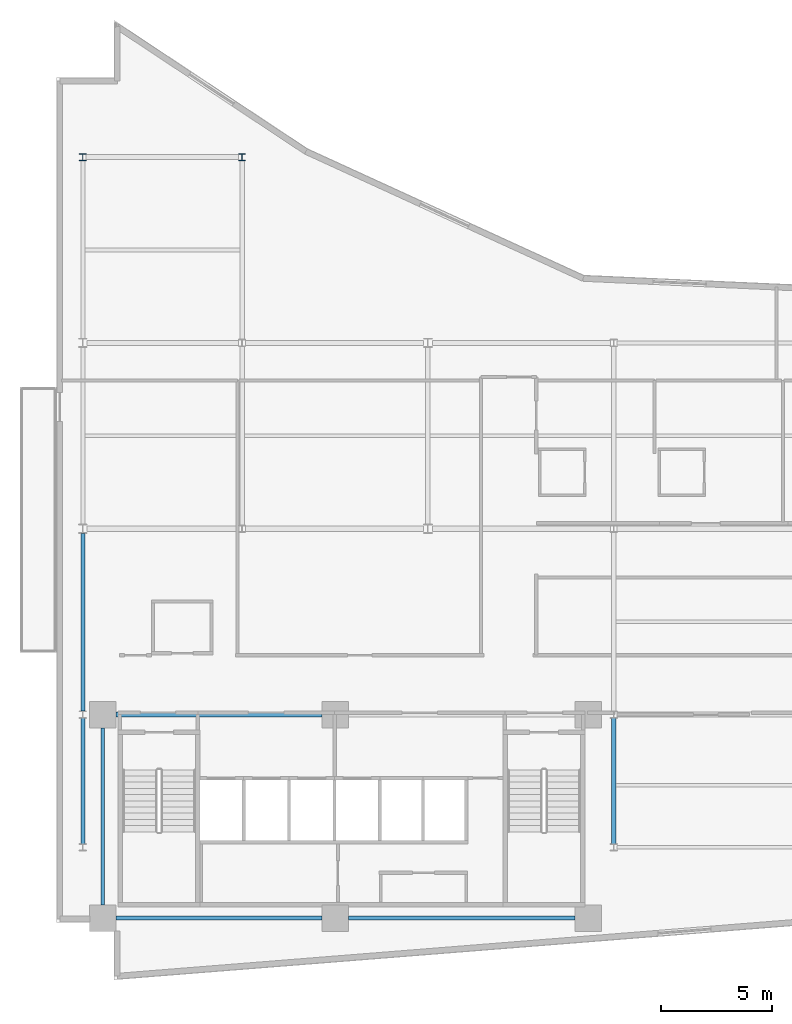
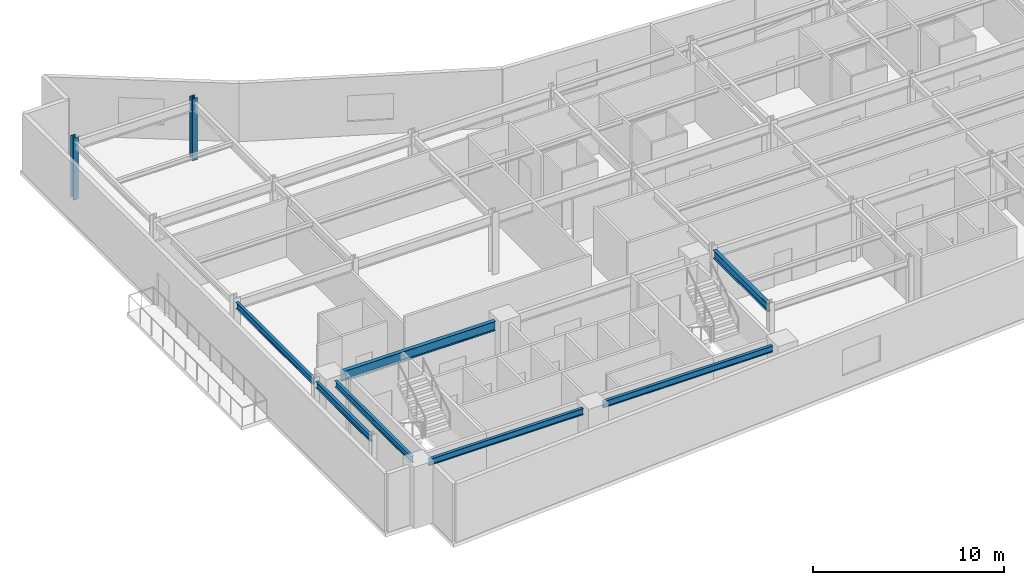
# One storey, part 3 of 17: 7 beams, 2 columns.
"""IFC4 building model written with IfcOpenShell, lengths in metres."""

from ifc_helpers import new_model, si_unit, direction, frame, origin, origin_2d, place, context, subcontext, project, spatial, i_section, extrude, material, material_profile, profile_set, type_object, element, save


model = new_model("IFC4")

# Units and contexts
model_context = context("Model", 3, precision=1e-05, world=origin(), true_north=direction((0.0, 1.0)))
body_context = subcontext(model_context, "Body", "Model", "MODEL_VIEW")
ifc_project = project(units=[si_unit("LENGTHUNIT", "METRE"), si_unit("AREAUNIT", "SQUARE_METRE"), si_unit("VOLUMEUNIT", "CUBIC_METRE"), si_unit("PLANEANGLEUNIT", "RADIAN"), si_unit("MASSUNIT", "GRAM", prefix="KILO")], contexts=[model_context])

# Site, building, storey
site_placement = place(None, origin())
site = spatial("IfcSite", under=ifc_project, at=site_placement, CompositionType="ELEMENT")
building_placement = place(site_placement, origin())
building = spatial("IfcBuilding", under=site, at=building_placement, Name="Varnakote Quay Hospital", CompositionType="ELEMENT")
storey_placement = place(building_placement, frame((0.0, 0.0, 146.800048828125)))
storey = spatial("IfcBuildingStorey", under=building, at=storey_placement, Name="L36", CompositionType="ELEMENT", Elevation=146.800048828125)

# Columns
ifc_material_1 = material(Name="Structural steel AS/NZS 3679.1 Grade 350 L0 (fy 340 MPa)", Category="steel")
ifc_material_profile_1 = material_profile(ifc_material_1, i_section(OverallWidth=0.306884765625, OverallDepth=0.31494140625, WebThickness=0.011962890625, FlangeThickness=0.018798828125, FilletRadius=0.0166015625, at=origin_2d()), Name="310UC118")
ifc_profile_set_1 = profile_set([ifc_material_profile_1], Name="Structural steel AS/NZS 3679.1 Grade 350 L0 (fy 340 MPa)")
column_type = type_object("IfcColumnType", Name="COL-STL-310UC118", PredefinedType="COLUMN", material=ifc_profile_set_1)
for number, where, z_axis, x_axis, name in (
    (1, (1.199951171875, 37.199951171875, 0.0), (0.0, 0.0, 1.0), (1.0, 0.0, 0.0), "L36 Structural Column C-1-37"),
    (2, (8.39990234375, 37.199951171875, 0.0), (0.0, 0.0, 1.0), (1.0, 0.0, 0.0), "L36 Structural Column C-8-37"),
):
    element("IfcColumn", number, at=place(storey_placement, frame(where, z_axis=z_axis, x_axis=x_axis)), inside=storey, type_object=column_type, Name=name, PredefinedType="COLUMN", context=body_context, shape_type="SweptSolid", body=[
        extrude(i_section(OverallWidth=0.306884765625, OverallDepth=0.31494140625, WebThickness=0.011962890625, FlangeThickness=0.018798828125, FilletRadius=0.0166015625, at=origin_2d()), origin(), (0.0, 0.0, 1.0), 3.949951171875),
    ])

# Beams
ifc_material_2 = material(Name="Structural steel AS/NZS 3679.1 Grade 350 L0 (fy 340 MPa)", Category="steel")
ifc_material_profile_2 = material_profile(ifc_material_2, i_section(OverallWidth=0.208984375, OverallDepth=0.532958984375, WebThickness=0.01025390625, FlangeThickness=0.015625, FilletRadius=0.013916015625, at=origin_2d()), Name="530UB92.4")
ifc_profile_set_2 = profile_set([ifc_material_profile_2], Name="Structural steel AS/NZS 3679.1 Grade 350 L0 (fy 340 MPa)")
beam_type_1 = type_object("IfcBeamType", Name="BM-STL-530UB92-4", PredefinedType="BEAM", material=ifc_profile_set_2)
beam_1_placement = place(storey_placement, frame((25.199951171875, 6.157470703125, 3.443359375), z_axis=(0.0, 1.0, 0.0), x_axis=(-1.0, 0.0, 0.0)))
element("IfcBeam", 3, at=beam_1_placement, inside=storey, type_object=beam_type_1, Name="L36 Primary Tie Beam", PredefinedType="BEAM", context=body_context, shape_type="SweptSolid", body=[
    extrude(i_section(OverallWidth=0.208984375, OverallDepth=0.532958984375, WebThickness=0.01025390625, FlangeThickness=0.015625, FilletRadius=0.013916015625, at=origin_2d()), origin(), (0.0, 0.0, 1.0), 5.68505859375),
])
ifc_material_3 = material(Name="Structural steel AS/NZS 3679.1 Grade 350 L0 (fy 340 MPa)", Category="steel")
ifc_material_profile_3 = material_profile(ifc_material_3, i_section(OverallWidth=0.22802734375, OverallDepth=0.60205078125, WebThickness=0.010498046875, FlangeThickness=0.014892578125, FilletRadius=0.013916015625, at=origin_2d()), Name="610UB101")
ifc_profile_set_3 = profile_set([ifc_material_profile_3], Name="Structural steel AS/NZS 3679.1 Grade 350 L0 (fy 340 MPa)")
beam_type_2 = type_object("IfcBeamType", Name="BM-STL-610UB101", PredefinedType="BEAM", material=ifc_profile_set_3)
beam_2_placement = place(storey_placement, frame((2.699951171875, 12.0, 3.408935546875), z_axis=(1.0, 0.0, 0.0), x_axis=(0.0, 1.0, 0.0)))
element("IfcBeam", 4, at=beam_2_placement, inside=storey, type_object=beam_type_2, Name="L36 Primary Floor Beam", PredefinedType="BEAM", context=body_context, shape_type="SweptSolid", body=[
    extrude(i_section(OverallWidth=0.22802734375, OverallDepth=0.60205078125, WebThickness=0.010498046875, FlangeThickness=0.014892578125, FilletRadius=0.013916015625, at=origin_2d()), origin(), (0.0, 0.0, 1.0), 9.320068359375),
])
ifc_material_4 = material(Name="Structural steel AS/NZS 3679.1 Grade 350 L0 (fy 340 MPa)", Category="steel")
ifc_material_profile_4 = material_profile(ifc_material_4, i_section(OverallWidth=0.177978515625, OverallDepth=0.403076171875, WebThickness=0.007568359375, FlangeThickness=0.010986328125, FilletRadius=0.011474609375, at=origin_2d()), Name="410UB53.7")
ifc_profile_set_4 = profile_set([ifc_material_profile_4], Name="Structural steel AS/NZS 3679.1 Grade 350 L0 (fy 340 MPa)")
beam_type_3 = type_object("IfcBeamType", Name="SPN-STL-410UB53-7", PredefinedType="SPANDREL", material=ifc_profile_set_4)
beam_3_placement = place(storey_placement, frame((1.199951171875, 6.157470703125, 3.508544921875), z_axis=(0.0, 1.0, 0.0), x_axis=(-1.0, 0.0, 0.0)))
element("IfcBeam", 5, at=beam_3_placement, inside=storey, type_object=beam_type_3, Name="L36 Perimeter Spandrel Beam", PredefinedType="SPANDREL", context=body_context, shape_type="SweptSolid", body=[
    extrude(i_section(OverallWidth=0.177978515625, OverallDepth=0.403076171875, WebThickness=0.007568359375, FlangeThickness=0.010986328125, FilletRadius=0.011474609375, at=origin_2d()), origin(), (0.0, 0.0, 1.0), 5.68505859375),
])
beam_4_placement = place(storey_placement, frame((1.199951171875, 12.157470703125, 3.508544921875), z_axis=(0.0, 1.0, 0.0), x_axis=(-1.0, 0.0, 0.0)))
element("IfcBeam", 6, at=beam_4_placement, inside=storey, type_object=beam_type_3, Name="L36 Perimeter Spandrel Beam", PredefinedType="SPANDREL", context=body_context, shape_type="SweptSolid", body=[
    extrude(i_section(OverallWidth=0.177978515625, OverallDepth=0.403076171875, WebThickness=0.007568359375, FlangeThickness=0.010986328125, FilletRadius=0.011474609375, at=origin_2d()), origin(), (0.0, 0.0, 1.0), 8.032470703125),
])
beam_5_placement = place(storey_placement, frame((2.10009765625, 3.39990234375, 3.508544921875), z_axis=(0.0, 1.0, 0.0), x_axis=(-1.0, 0.0, 0.0)))
element("IfcBeam", 7, at=beam_5_placement, inside=storey, type_object=beam_type_3, Name="L36 Perimeter Spandrel Beam", PredefinedType="SPANDREL", context=body_context, shape_type="SweptSolid", body=[
    extrude(i_section(OverallWidth=0.177978515625, OverallDepth=0.403076171875, WebThickness=0.007568359375, FlangeThickness=0.010986328125, FilletRadius=0.011474609375, at=origin_2d()), origin(), (0.0, 0.0, 1.0), 8.0),
])
ifc_material_5 = material(Name="Structural steel AS/NZS 3679.1 Grade 350 L0 (fy 340 MPa)", Category="steel")
ifc_material_profile_5 = material_profile(ifc_material_5, i_section(OverallWidth=0.177978515625, OverallDepth=0.406005859375, WebThickness=0.0078125, FlangeThickness=0.0126953125, FilletRadius=0.011474609375, at=origin_2d()), Name="410UB59.7")
ifc_profile_set_5 = profile_set([ifc_material_profile_5], Name="Structural steel AS/NZS 3679.1 Grade 350 L0 (fy 340 MPa)")
beam_type_4 = type_object("IfcBeamType", Name="SPN-STL-410UB59-7", PredefinedType="SPANDREL", material=ifc_profile_set_5)
beam_6_placement = place(storey_placement, frame((2.699951171875, 2.800048828125, 3.5068359375), z_axis=(1.0, 0.0, 0.0), x_axis=(0.0, 1.0, 0.0)))
element("IfcBeam", 8, at=beam_6_placement, inside=storey, type_object=beam_type_4, Name="L36 Perimeter Spandrel Beam", PredefinedType="SPANDREL", context=body_context, shape_type="SweptSolid", body=[
    extrude(i_section(OverallWidth=0.177978515625, OverallDepth=0.406005859375, WebThickness=0.0078125, FlangeThickness=0.0126953125, FilletRadius=0.011474609375, at=origin_2d()), origin(), (0.0, 0.0, 1.0), 9.320068359375),
])
beam_7_placement = place(storey_placement, frame((13.219970703125, 2.800048828125, 3.5068359375), z_axis=(1.0, 0.0, 0.0), x_axis=(0.0, 1.0, 0.0)))
element("IfcBeam", 9, at=beam_7_placement, inside=storey, type_object=beam_type_4, Name="L36 Perimeter Spandrel Beam", PredefinedType="SPANDREL", context=body_context, shape_type="SweptSolid", body=[
    extrude(i_section(OverallWidth=0.177978515625, OverallDepth=0.406005859375, WebThickness=0.0078125, FlangeThickness=0.0126953125, FilletRadius=0.011474609375, at=origin_2d()), origin(), (0.0, 0.0, 1.0), 10.22998046875),
])

save(model, "model.ifc")
